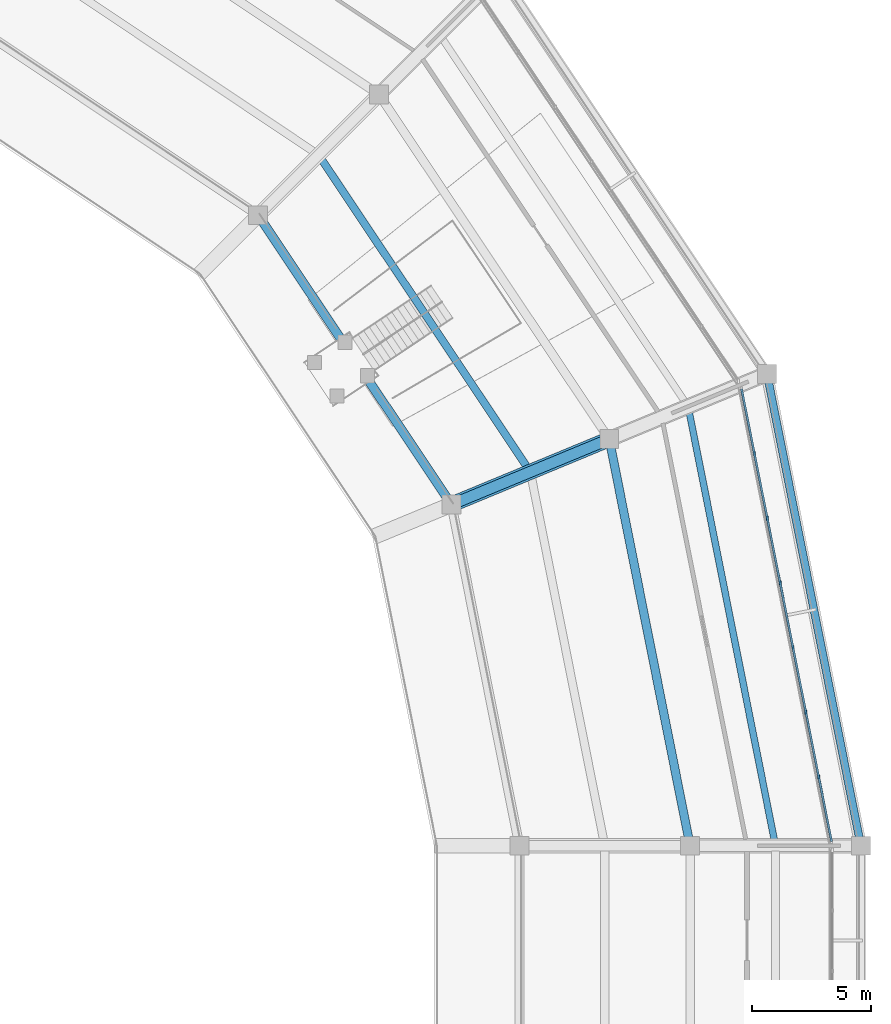
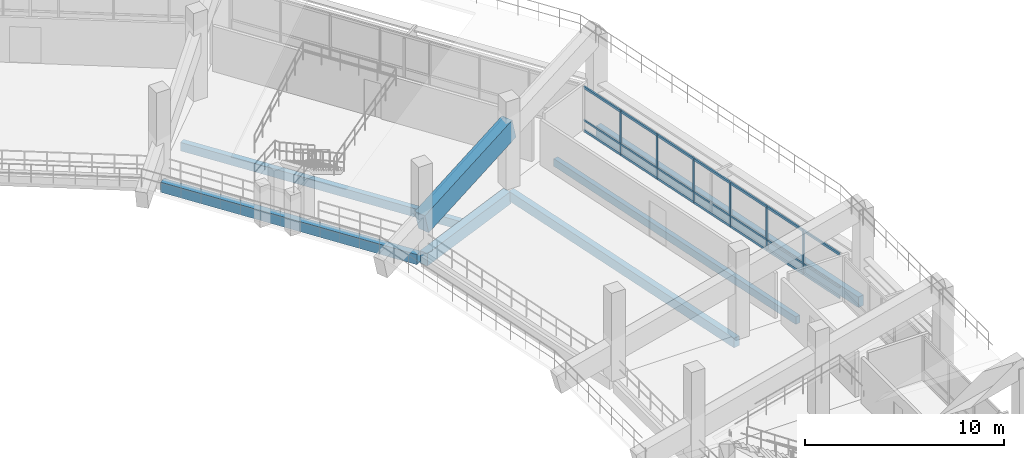
# One storey, part 36 of 96: 9 members, 7 beams, 1 element without a shape of its own.
"""IFC4 building model written with IfcOpenShell, lengths in metres."""

from ifc_helpers import new_model, si_unit, direction, frame, origin, origin_2d, place, context, subcontext, project, spatial, rectangle, extrude, material, material_profile, profile_set, type_object, element, aggregate, save


model = new_model("IFC4")

# Units and contexts
model_context = context("Model", 3, precision=1e-05, world=origin(), true_north=direction((0.0, 1.0)))
body_context = subcontext(model_context, "Body", "Model", "MODEL_VIEW")
ifc_project = project(units=[si_unit("LENGTHUNIT", "METRE"), si_unit("AREAUNIT", "SQUARE_METRE"), si_unit("VOLUMEUNIT", "CUBIC_METRE"), si_unit("PLANEANGLEUNIT", "RADIAN"), si_unit("MASSUNIT", "GRAM", prefix="KILO")], contexts=[model_context])

# Site, building, storey
site_placement = place(None, origin())
site = spatial("IfcSite", under=ifc_project, at=site_placement, CompositionType="ELEMENT")
building_placement = place(site_placement, origin())
building = spatial("IfcBuilding", under=site, at=building_placement, Name="Candeia Ridge Stadium", CompositionType="ELEMENT")
storey_placement = place(building_placement, frame((0.0, 0.0, 21.60009765625)))
storey = spatial("IfcBuildingStorey", under=building, at=storey_placement, Name="L04", CompositionType="ELEMENT", Elevation=21.60009765625)

# Curtain wall, members
ifc_material_1 = material(Name="Aluminium Anodized Warm Bronze", Category="aluminium")
curtain_wall_type = type_object("IfcCurtainWallType", Name="Concourse Recessed Unitised Curtain Wall", PredefinedType="NOTDEFINED", material=ifc_material_1)
curtain_wall_placement = place(storey_placement, origin())
curtain_wall = element("IfcCurtainWall", 1, at=curtain_wall_placement, inside=storey, type_object=curtain_wall_type, Name="Unitised curtain wall CW-BWL-L04-32", PredefinedType="NOTDEFINED")
ifc_material_profile_1 = material_profile(ifc_material_1, rectangle(XDim=0.074951171875, YDim=0.14990234375, at=origin_2d()), Name="CWM-75x150", Category="aluminium")
ifc_profile_set_1 = profile_set([ifc_material_profile_1], Name="Aluminium Anodized Warm Bronze")
member_type_1 = type_object("IfcMemberType", Name="Curtain Wall Secondary Mullion 75x150", PredefinedType="MULLION", material=ifc_profile_set_1)
member_1_placement = place(storey_placement, frame((191.222412109375, 97.9033203125, 0.0), z_axis=(0.0, 0.0, 1.0), x_axis=(1.0, 0.0, 0.0)))
member_1 = element("IfcMember", 2, at=member_1_placement, type_object=member_type_1, Name="Curtain wall mullion CW-BWL-L04-32-M1", PredefinedType="MULLION", context=body_context, shape_type="SweptSolid", body=[
    extrude(rectangle(XDim=0.074951171875, YDim=0.14990234375, at=origin_2d()), origin(), (0.0, 0.0, 1.0), 2.772216796875),
])
member_2_placement = place(storey_placement, frame((190.68017578125, 100.6298828125, 0.0), z_axis=(0.0, 0.0, 1.0), x_axis=(1.0, 0.0, 0.0)))
member_2 = element("IfcMember", 3, at=member_2_placement, type_object=member_type_1, Name="Curtain wall mullion CW-BWL-L04-32-M2", PredefinedType="MULLION", context=body_context, shape_type="SweptSolid", body=[
    extrude(rectangle(XDim=0.074951171875, YDim=0.14990234375, at=origin_2d()), origin(), (0.0, 0.0, 1.0), 2.772216796875),
])
member_3_placement = place(storey_placement, frame((190.1376953125, 103.356689453125, 0.0), z_axis=(0.0, 0.0, 1.0), x_axis=(1.0, 0.0, 0.0)))
member_3 = element("IfcMember", 4, at=member_3_placement, type_object=member_type_1, Name="Curtain wall mullion CW-BWL-L04-32-M3", PredefinedType="MULLION", context=body_context, shape_type="SweptSolid", body=[
    extrude(rectangle(XDim=0.074951171875, YDim=0.14990234375, at=origin_2d()), origin(), (0.0, 0.0, 1.0), 2.772216796875),
])
member_4_placement = place(storey_placement, frame((189.595458984375, 106.08349609375, 0.0), z_axis=(0.0, 0.0, 1.0), x_axis=(1.0, 0.0, 0.0)))
member_4 = element("IfcMember", 5, at=member_4_placement, type_object=member_type_1, Name="Curtain wall mullion CW-BWL-L04-32-M4", PredefinedType="MULLION", context=body_context, shape_type="SweptSolid", body=[
    extrude(rectangle(XDim=0.074951171875, YDim=0.14990234375, at=origin_2d()), origin(), (0.0, 0.0, 1.0), 2.772216796875),
])
member_5_placement = place(storey_placement, frame((189.052978515625, 108.810302734375, 0.0), z_axis=(0.0, 0.0, 1.0), x_axis=(1.0, 0.0, 0.0)))
member_5 = element("IfcMember", 6, at=member_5_placement, type_object=member_type_1, Name="Curtain wall mullion CW-BWL-L04-32-M5", PredefinedType="MULLION", context=body_context, shape_type="SweptSolid", body=[
    extrude(rectangle(XDim=0.074951171875, YDim=0.14990234375, at=origin_2d()), origin(), (0.0, 0.0, 1.0), 2.772216796875),
])
member_6_placement = place(storey_placement, frame((188.510498046875, 111.537109375, 0.0), z_axis=(0.0, 0.0, 1.0), x_axis=(1.0, 0.0, 0.0)))
member_6 = element("IfcMember", 7, at=member_6_placement, type_object=member_type_1, Name="Curtain wall mullion CW-BWL-L04-32-M6", PredefinedType="MULLION", context=body_context, shape_type="SweptSolid", body=[
    extrude(rectangle(XDim=0.074951171875, YDim=0.14990234375, at=origin_2d()), origin(), (0.0, 0.0, 1.0), 2.772216796875),
])
ifc_material_profile_2 = material_profile(ifc_material_1, rectangle(XDim=0.074951171875, YDim=0.110107421875, at=origin_2d()), Name="CWT-75x110", Category="aluminium")
ifc_profile_set_2 = profile_set([ifc_material_profile_2], Name="Aluminium Anodized Warm Bronze")
member_type_2 = type_object("IfcMemberType", Name="Curtain Wall Secondary Transom 75x110", PredefinedType="USERDEFINED", material=ifc_profile_set_2)
member_7_placement = place(storey_placement, frame((191.764892578125, 95.176513671875, 0.693115234375), z_axis=(-0.195085896803, 0.980786160623, 0.0), x_axis=(-0.980786160623, -0.195085896803, 0.0)))
member_7 = element("IfcMember", 8, at=member_7_placement, type_object=member_type_2, Name="Curtain wall transom CW-BWL-L04-32-T1", ObjectType="TRANSOM", PredefinedType="USERDEFINED", context=body_context, shape_type="SweptSolid", body=[
    extrude(rectangle(XDim=0.074951171875, YDim=0.110107421875, at=origin_2d()), origin(), (0.0, 0.0, 1.0), 19.46142578125),
])
ifc_material_profile_3 = material_profile(ifc_material_1, rectangle(XDim=0.090087890625, YDim=0.139892578125, at=origin_2d()), Name="CWT-90x140", Category="aluminium")
ifc_profile_set_3 = profile_set([ifc_material_profile_3], Name="Aluminium Anodized Warm Bronze")
member_type_3 = type_object("IfcMemberType", Name="Curtain Wall Transom 90x140", PredefinedType="USERDEFINED", material=ifc_profile_set_3)
member_8_placement = place(storey_placement, frame((191.764892578125, 95.176513671875, 0.06982421875), z_axis=(-0.195085896803, 0.980786160623, 0.0), x_axis=(-0.980786160623, -0.195085896803, 0.0)))
member_8 = element("IfcMember", 9, at=member_8_placement, type_object=member_type_3, Name="Curtain wall transom CW-BWL-L04-32-T0", ObjectType="TRANSOM", PredefinedType="USERDEFINED", context=body_context, shape_type="SweptSolid", body=[
    extrude(rectangle(XDim=0.090087890625, YDim=0.139892578125, at=origin_2d()), origin(), (0.0, 0.0, 1.0), 19.46142578125),
])
member_9_placement = place(storey_placement, frame((191.764892578125, 95.176513671875, 2.7021484375), z_axis=(-0.195085896803, 0.980786160623, 0.0), x_axis=(-0.980786160623, -0.195085896803, 0.0)))
member_9 = element("IfcMember", 10, at=member_9_placement, type_object=member_type_3, Name="Curtain wall transom CW-BWL-L04-32-T2", ObjectType="TRANSOM", PredefinedType="USERDEFINED", context=body_context, shape_type="SweptSolid", body=[
    extrude(rectangle(XDim=0.090087890625, YDim=0.139892578125, at=origin_2d()), origin(), (0.0, 0.0, 1.0), 19.46142578125),
])
aggregate(curtain_wall, [member_1, member_2, member_3, member_4, member_5, member_6, member_8, member_7, member_9])

# Beams
ifc_material_2 = material(Name="Concrete C40/50", Category="concrete")
ifc_material_profile_4 = material_profile(ifc_material_2, rectangle(XDim=0.280029296875, YDim=0.4599609375, at=origin_2d()), Name="RC280x460", Category="concrete")
ifc_profile_set_4 = profile_set([ifc_material_profile_4], Name="Concrete C40/50")
beam_type_1 = type_object("IfcBeamType", Name="Floor Joist RC280x460", PredefinedType="JOIST", material=ifc_profile_set_4)
beam_1_placement = place(storey_placement, frame((189.356689453125, 95.2177734375, -0.489990234375), z_axis=(-0.195092537954, 0.980784839623, 0.0), x_axis=(-0.980784839623, -0.195092537954, 0.0)))
element("IfcBeam", 11, at=beam_1_placement, inside=storey, type_object=beam_type_1, Name="Concourse secondary joist BM-L04-0946", PredefinedType="JOIST", context=body_context, shape_type="SweptSolid", body=[
    extrude(rectangle(XDim=0.280029296875, YDim=0.4599609375, at=origin_2d()), origin(), (0.0, 0.0, 1.0), 18.440673828125),
])
ifc_material_profile_5 = material_profile(ifc_material_2, rectangle(XDim=0.320068359375, YDim=0.52001953125, at=origin_2d()), Name="RC320x520", Category="concrete")
ifc_profile_set_5 = profile_set([ifc_material_profile_5], Name="Concrete C40/50")
beam_type_2 = type_object("IfcBeamType", Name="Floor Joist RC320x520", PredefinedType="JOIST", material=ifc_profile_set_5)
beam_2_placement = place(storey_placement, frame((178.9404296875, 110.951171875, -0.52001953125), z_axis=(-0.555568527312, 0.831470752017, 0.0), x_axis=(-0.831470752017, -0.555568527312, 0.0)))
element("IfcBeam", 12, at=beam_2_placement, inside=storey, type_object=beam_type_2, Name="Concourse secondary joist BM-L04-0950", PredefinedType="JOIST", context=body_context, shape_type="SweptSolid", body=[
    extrude(rectangle(XDim=0.320068359375, YDim=0.52001953125, at=origin_2d()), origin(), (0.0, 0.0, 1.0), 15.63134765625),
])
ifc_material_profile_6 = material_profile(ifc_material_2, rectangle(XDim=0.360107421875, YDim=0.580078125, at=origin_2d()), Name="RC360x580", Category="concrete")
ifc_profile_set_6 = profile_set([ifc_material_profile_6], Name="Concrete C40/50")
beam_type_3 = type_object("IfcBeamType", Name="Frame Girder RC360x580", PredefinedType="BEAM", material=ifc_profile_set_6)
beam_3_placement = place(storey_placement, frame((185.768798828125, 95.156982421875, -0.550048828125), z_axis=(-0.195098234154, 0.980783706548, 0.0), x_axis=(-0.980783706548, -0.195098234154, 0.0)))
element("IfcBeam", 13, at=beam_3_placement, inside=storey, type_object=beam_type_3, Name="Concourse spine girder BM-L04-0943", PredefinedType="BEAM", context=body_context, shape_type="SweptSolid", body=[
    extrude(rectangle(XDim=0.360107421875, YDim=0.580078125, at=origin_2d()), origin(), (0.0, 0.0, 1.0), 17.16015625),
])
ifc_material_profile_7 = material_profile(ifc_material_2, rectangle(XDim=0.3798828125, YDim=0.6201171875, at=origin_2d()), Name="RC380x620", Category="concrete")
ifc_profile_set_7 = profile_set([ifc_material_profile_7], Name="Concrete C40/50")
beam_type_4 = type_object("IfcBeamType", Name="Frame Girder RC380x620", PredefinedType="BEAM", material=ifc_profile_set_7)
beam_4_placement = place(storey_placement, frame((175.64892578125, 109.52197265625, -0.570068359375), z_axis=(-0.55557537569, 0.831466176057, 0.0), x_axis=(-0.831466176057, -0.55557537569, 0.0)))
element("IfcBeam", 14, at=beam_4_placement, inside=storey, type_object=beam_type_4, Name="Bowl inner ring girder BM-L04-0947", PredefinedType="BEAM", context=body_context, shape_type="SweptSolid", body=[
    extrude(rectangle(XDim=0.3798828125, YDim=0.6201171875, at=origin_2d()), origin(), (0.0, 0.0, 1.0), 14.350830078125),
])
ifc_material_profile_8 = material_profile(ifc_material_2, rectangle(XDim=0.469970703125, YDim=0.760009765625, at=origin_2d()), Name="RC470x760", Category="concrete")
ifc_profile_set_8 = profile_set([ifc_material_profile_8], Name="Concrete C40/50")
beam_type_5 = type_object("IfcBeamType", Name="Frame Girder RC470x760", PredefinedType="BEAM", material=ifc_profile_set_8)
beam_5_placement = place(storey_placement, frame((175.8857421875, 109.4501953125, -0.64013671875), z_axis=(0.923880161031, 0.382681914982, 0.0), x_axis=(-0.382681914982, 0.923880161031, 0.0)))
element("IfcBeam", 15, at=beam_5_placement, inside=storey, type_object=beam_type_5, Name="Bowl radial girder BM-L04-0787", PredefinedType="BEAM", context=body_context, shape_type="SweptSolid", body=[
    extrude(rectangle(XDim=0.469970703125, YDim=0.760009765625, at=origin_2d()), origin(), (0.0, 0.0, 1.0), 6.8798828125),
])
ifc_material_profile_9 = material_profile(ifc_material_2, rectangle(XDim=0.330078125, YDim=0.639892578125, at=origin_2d()), Name="RC330x640", Category="concrete")
ifc_profile_set_9 = profile_set([ifc_material_profile_9], Name="Concrete C40/50")
beam_type_6 = type_object("IfcBeamType", Name="Spandrel Beam RC330x640", PredefinedType="SPANDREL", material=ifc_profile_set_9)
beam_6_placement = place(storey_placement, frame((192.96875, 95.156982421875, -0.580078125), z_axis=(-0.195086242929, 0.980786091775, 0.0), x_axis=(-0.980786091775, -0.195086242929, 0.0)))
element("IfcBeam", 16, at=beam_6_placement, inside=storey, type_object=beam_type_6, Name="Bowl perimeter spandrel BM-L04-0944", PredefinedType="SPANDREL", context=body_context, shape_type="SweptSolid", body=[
    extrude(rectangle(XDim=0.330078125, YDim=0.639892578125, at=origin_2d()), origin(), (0.0, 0.0, 1.0), 19.969482421875),
])
ifc_material_3 = material(Name="Concrete C45/55", Category="concrete")
ifc_material_profile_10 = material_profile(ifc_material_3, rectangle(XDim=0.64990234375, YDim=1.25, at=origin_2d()), Name="RC650x1250", Category="concrete")
ifc_profile_set_10 = profile_set([ifc_material_profile_10], Name="Concrete C45/55")
beam_type_7 = type_object("IfcBeamType", Name="Stand Raker Beam RC650x1250", PredefinedType="USERDEFINED", material=ifc_profile_set_10)
beam_7_placement = place(storey_placement, frame((175.73779296875, 109.388916015625, 1.66796875), z_axis=(0.894394775155, 0.370467920593, 0.250622237615), x_axis=(-0.382681205745, 0.923880454805, 0.0)))
element("IfcBeam", 17, at=beam_7_placement, inside=storey, type_object=beam_type_7, Name="Stand T3 inner raker beam 34", ObjectType="RAKER", PredefinedType="USERDEFINED", context=body_context, shape_type="SweptSolid", body=[
    extrude(rectangle(XDim=0.64990234375, YDim=1.25, at=origin_2d()), origin(), (0.0, 0.0, 1.0), 7.4375),
])

save(model, "model.ifc")
